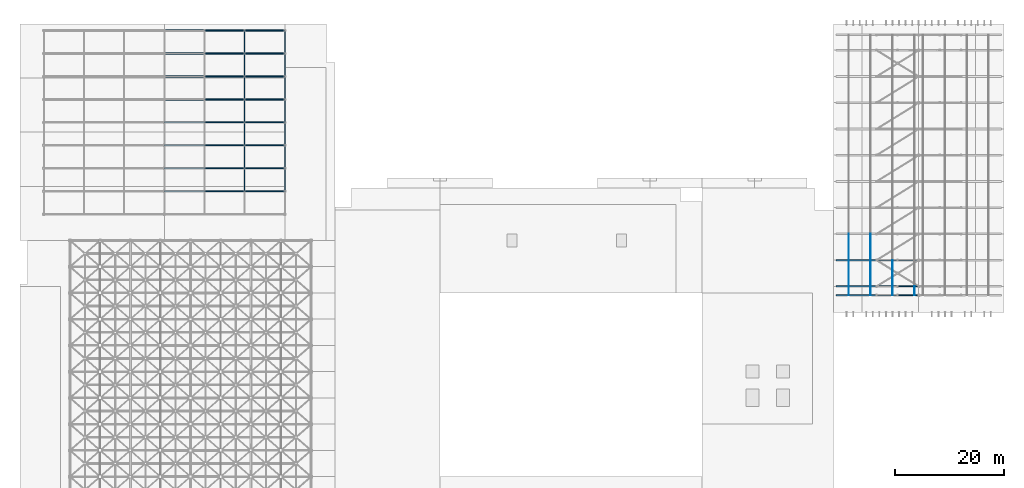
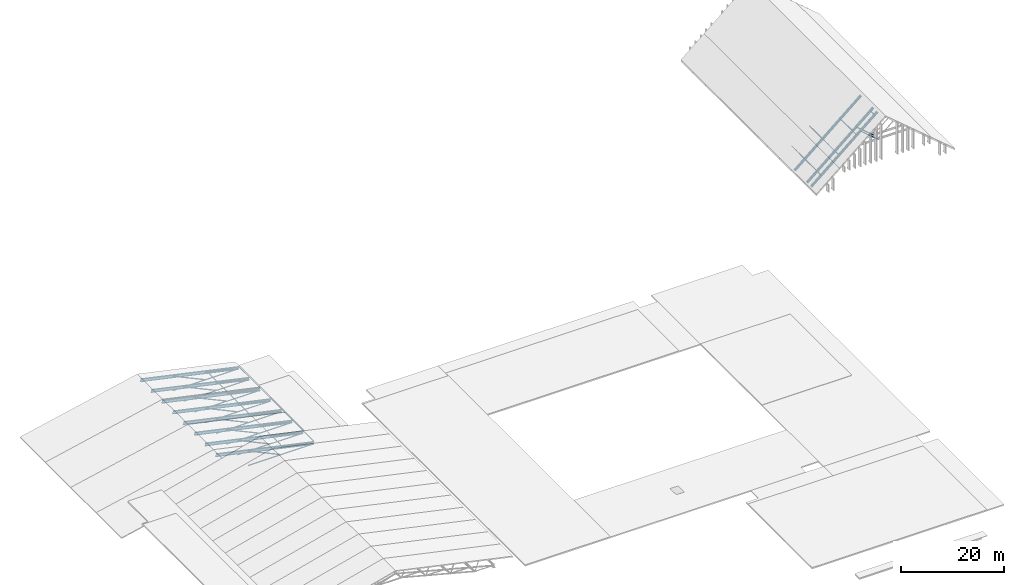
# One storey, part 22 of 60: 57 members, 11 beams.
"""IFC4 building model written with IfcOpenShell, lengths in metres."""

from ifc_helpers import new_model, si_unit, direction, frame, origin, origin_2d, place, context, subcontext, project, spatial, hollow_rectangle, hollow_circle, i_section, extrude, material, material_profile, profile_set, type_object, element, save


model = new_model("IFC4")

# Units and contexts
model_context = context("Model", 3, precision=1e-05, world=origin(), true_north=direction((0.0, 1.0)))
body_context = subcontext(model_context, "Body", "Model", "MODEL_VIEW")
ifc_project = project(units=[si_unit("LENGTHUNIT", "METRE"), si_unit("AREAUNIT", "SQUARE_METRE"), si_unit("VOLUMEUNIT", "CUBIC_METRE"), si_unit("PLANEANGLEUNIT", "RADIAN"), si_unit("MASSUNIT", "GRAM", prefix="KILO")], contexts=[model_context])

# Site, building, storey
site_placement = place(None, origin())
site = spatial("IfcSite", under=ifc_project, at=site_placement, CompositionType="ELEMENT")
building_placement = place(site_placement, origin())
building = spatial("IfcBuilding", under=site, at=building_placement, Name="Nakhvara Creek Congress Hotel", CompositionType="ELEMENT")
storey_placement = place(building_placement, frame((0.0, 0.0, 54.60009765625)))
storey = spatial("IfcBuildingStorey", under=building, at=storey_placement, Name="RL1", CompositionType="ELEMENT", Elevation=54.60009765625)

# Beams
ifc_material_1 = material(Name="Steel S355J2", Category="steel")
ifc_material_profile_1 = material_profile(ifc_material_1, i_section(OverallWidth=0.300048828125, OverallDepth=0.5, WebThickness=0.014404296875, FlangeThickness=0.028076171875, FilletRadius=0.027099609375, at=origin_2d()), Name="HEB 500", Category="LoadBearing")
ifc_profile_set_1 = profile_set([ifc_material_profile_1], Name="Steel S355J2")
beam_type_1 = type_object("IfcBeamType", Name="BM-ST-HEB500", PredefinedType="BEAM", material=ifc_profile_set_1)
for number, where, z_axis, x_axis, name in (
    (1, (149.449951171875, 76.39990234375, -4.5361328125), (0.763387703972, 0.0, 0.645940564932), (0.0, 1.0, 0.0), "Hotel Gothic Gable West Rafter 01"),
    (2, (149.449951171875, 78.0, -4.5361328125), (0.763387703972, 0.0, 0.645940564932), (0.0, 1.0, 0.0), "Hotel Gothic Gable West Rafter 02"),
    (3, (149.449951171875, 82.800048828125, -4.5361328125), (0.763387703972, 0.0, 0.645940564932), (0.0, 1.0, 0.0), "Hotel Gothic Gable West Rafter 03"),
):
    element("IfcBeam", number, at=place(storey_placement, frame(where, z_axis=z_axis, x_axis=x_axis)), inside=storey, type_object=beam_type_1, Name=name, PredefinedType="BEAM", context=body_context, shape_type="SweptSolid", body=[
        extrude(i_section(OverallWidth=0.300048828125, OverallDepth=0.5, WebThickness=0.014404296875, FlangeThickness=0.028076171875, FilletRadius=0.027099609375, at=origin_2d()), origin(), (0.0, 0.0, 1.0), 19.583740234375),
    ])
ifc_material_profile_2 = material_profile(ifc_material_1, i_section(OverallWidth=0.300048828125, OverallDepth=0.699951171875, WebThickness=0.01708984375, FlangeThickness=0.031982421875, FilletRadius=0.027099609375, at=origin_2d()), Name="HEB 700", Category="LoadBearing")
ifc_profile_set_2 = profile_set([ifc_material_profile_2], Name="Steel S355J2")
beam_type_2 = type_object("IfcBeamType", Name="BM-ST-HEB700", PredefinedType="BEAM", material=ifc_profile_set_2)
for number, where, z_axis, x_axis, name in (
    (4, (26.39990234375, 95.39990234375, -36.880126953125), (0.977115981717, 0.0, -0.212707212557), (0.0, 1.0, 0.0), "Ballroom Roof Truss East Rafter 02"),
    (5, (26.39990234375, 99.60009765625, -36.880126953125), (0.977115981717, 0.0, -0.212707212557), (0.0, 1.0, 0.0), "Ballroom Roof Truss East Rafter 03"),
    (6, (26.39990234375, 103.800048828125, -36.880126953125), (0.977115981717, 0.0, -0.212707212557), (0.0, 1.0, 0.0), "Ballroom Roof Truss East Rafter 04"),
    (7, (26.39990234375, 108.0, -36.880126953125), (0.977115981717, 0.0, -0.212707212557), (0.0, 1.0, 0.0), "Ballroom Roof Truss East Rafter 05"),
    (8, (26.39990234375, 112.199951171875, -36.880126953125), (0.977115981717, 0.0, -0.212707212557), (0.0, 1.0, 0.0), "Ballroom Roof Truss East Rafter 06"),
    (9, (26.39990234375, 116.39990234375, -36.880126953125), (0.977115981717, 0.0, -0.212707212557), (0.0, 1.0, 0.0), "Ballroom Roof Truss East Rafter 07"),
    (10, (26.39990234375, 120.60009765625, -36.880126953125), (0.977115981717, 0.0, -0.212707212557), (0.0, 1.0, 0.0), "Ballroom Roof Truss East Rafter 08"),
    (11, (26.39990234375, 124.800048828125, -36.880126953125), (0.977115981717, 0.0, -0.212707212557), (0.0, 1.0, 0.0), "Ballroom Roof Truss East Rafter 09"),
):
    element("IfcBeam", number, at=place(storey_placement, frame(where, z_axis=z_axis, x_axis=x_axis)), inside=storey, type_object=beam_type_2, Name=name, PredefinedType="BEAM", context=body_context, shape_type="SweptSolid", body=[
        extrude(i_section(OverallWidth=0.300048828125, OverallDepth=0.699951171875, WebThickness=0.01708984375, FlangeThickness=0.031982421875, FilletRadius=0.027099609375, at=origin_2d()), origin(), (0.0, 0.0, 1.0), 22.56640625),
    ])

# Members
ifc_material_2 = material(Name="Steel S355J2H", Category="steel")
ifc_material_profile_3 = material_profile(ifc_material_2, hollow_circle(Radius=0.06982421875, WallThickness=0.008056640625, at=origin_2d()), Name="CHS 139.7x8.0", Category="LoadBearing")
ifc_profile_set_3 = profile_set([ifc_material_profile_3], Name="Steel S355J2H")
member_type_1 = type_object("IfcMemberType", Name="MEM-BRC-CHS139H", PredefinedType="BRACE", material=ifc_profile_set_3)
member_1_placement = place(storey_placement, frame((164.39990234375, 78.0, 1.599853515625), z_axis=(-0.763373429147, 0.0, 0.645957434876), x_axis=(0.0, -1.0, 0.0)))
element("IfcMember", 12, at=member_1_placement, inside=storey, type_object=member_type_1, Name="Hotel Gable Web Brace W-02", PredefinedType="BRACE", context=body_context, shape_type="SweptSolid", body=[
    extrude(hollow_circle(Radius=0.06982421875, WallThickness=0.008056640625, at=origin_2d()), origin(), (0.0, 0.0, 1.0), 5.042236328125),
])
ifc_material_profile_4 = material_profile(ifc_material_2, hollow_circle(Radius=0.084228515625, WallThickness=0.008056640625, at=origin_2d()), Name="CHS 168.3x8.0", Category="LoadBearing")
ifc_profile_set_4 = profile_set([ifc_material_profile_4], Name="Steel S355J2H")
member_type_2 = type_object("IfcMemberType", Name="MEM-BRC-CHS168", PredefinedType="BRACE", material=ifc_profile_set_4)
member_2_placement = place(storey_placement, frame((41.10009765625, 95.39990234375, -41.89013671875), z_axis=(-0.907121554774, 0.0, 0.420868726403), x_axis=(0.0, -1.0, 0.0)))
element("IfcMember", 13, at=member_2_placement, inside=storey, type_object=member_type_2, Name="Ballroom Roof Truss Web Brace 02.5", PredefinedType="BRACE", context=body_context, shape_type="SweptSolid", body=[
    extrude(hollow_circle(Radius=0.084228515625, WallThickness=0.008056640625, at=origin_2d()), origin(), (0.0, 0.0, 1.0), 8.1025390625),
])
member_3_placement = place(storey_placement, frame((48.449951171875, 95.39990234375, -41.89013671875), z_axis=(-0.970988385027, 0.0, 0.239126652934), x_axis=(0.0, -1.0, 0.0)))
element("IfcMember", 14, at=member_3_placement, inside=storey, type_object=member_type_2, Name="Ballroom Roof Truss Web Brace 02.6", PredefinedType="BRACE", context=body_context, shape_type="SweptSolid", body=[
    extrude(hollow_circle(Radius=0.084228515625, WallThickness=0.008056640625, at=origin_2d()), origin(), (0.0, 0.0, 1.0), 7.5693359375),
])
member_4_placement = place(storey_placement, frame((41.10009765625, 99.60009765625, -41.89013671875), z_axis=(-0.907121554774, 0.0, 0.420868726403), x_axis=(0.0, -1.0, 0.0)))
element("IfcMember", 15, at=member_4_placement, inside=storey, type_object=member_type_2, Name="Ballroom Roof Truss Web Brace 03.5", PredefinedType="BRACE", context=body_context, shape_type="SweptSolid", body=[
    extrude(hollow_circle(Radius=0.084228515625, WallThickness=0.008056640625, at=origin_2d()), origin(), (0.0, 0.0, 1.0), 8.1025390625),
])
member_5_placement = place(storey_placement, frame((48.449951171875, 99.60009765625, -41.89013671875), z_axis=(-0.970988385027, 0.0, 0.239126652934), x_axis=(0.0, -1.0, 0.0)))
element("IfcMember", 16, at=member_5_placement, inside=storey, type_object=member_type_2, Name="Ballroom Roof Truss Web Brace 03.6", PredefinedType="BRACE", context=body_context, shape_type="SweptSolid", body=[
    extrude(hollow_circle(Radius=0.084228515625, WallThickness=0.008056640625, at=origin_2d()), origin(), (0.0, 0.0, 1.0), 7.5693359375),
])
member_6_placement = place(storey_placement, frame((41.10009765625, 103.800048828125, -41.89013671875), z_axis=(-0.907121554774, 0.0, 0.420868726403), x_axis=(0.0, -1.0, 0.0)))
element("IfcMember", 17, at=member_6_placement, inside=storey, type_object=member_type_2, Name="Ballroom Roof Truss Web Brace 04.5", PredefinedType="BRACE", context=body_context, shape_type="SweptSolid", body=[
    extrude(hollow_circle(Radius=0.084228515625, WallThickness=0.008056640625, at=origin_2d()), origin(), (0.0, 0.0, 1.0), 8.1025390625),
])
member_7_placement = place(storey_placement, frame((48.449951171875, 103.800048828125, -41.89013671875), z_axis=(-0.970988385027, 0.0, 0.239126652934), x_axis=(0.0, -1.0, 0.0)))
element("IfcMember", 18, at=member_7_placement, inside=storey, type_object=member_type_2, Name="Ballroom Roof Truss Web Brace 04.6", PredefinedType="BRACE", context=body_context, shape_type="SweptSolid", body=[
    extrude(hollow_circle(Radius=0.084228515625, WallThickness=0.008056640625, at=origin_2d()), origin(), (0.0, 0.0, 1.0), 7.5693359375),
])
member_8_placement = place(storey_placement, frame((41.10009765625, 108.0, -41.89013671875), z_axis=(-0.907121554774, 0.0, 0.420868726403), x_axis=(0.0, -1.0, 0.0)))
element("IfcMember", 19, at=member_8_placement, inside=storey, type_object=member_type_2, Name="Ballroom Roof Truss Web Brace 05.5", PredefinedType="BRACE", context=body_context, shape_type="SweptSolid", body=[
    extrude(hollow_circle(Radius=0.084228515625, WallThickness=0.008056640625, at=origin_2d()), origin(), (0.0, 0.0, 1.0), 8.1025390625),
])
member_9_placement = place(storey_placement, frame((48.449951171875, 108.0, -41.89013671875), z_axis=(-0.970988385027, 0.0, 0.239126652934), x_axis=(0.0, -1.0, 0.0)))
element("IfcMember", 20, at=member_9_placement, inside=storey, type_object=member_type_2, Name="Ballroom Roof Truss Web Brace 05.6", PredefinedType="BRACE", context=body_context, shape_type="SweptSolid", body=[
    extrude(hollow_circle(Radius=0.084228515625, WallThickness=0.008056640625, at=origin_2d()), origin(), (0.0, 0.0, 1.0), 7.5693359375),
])
member_10_placement = place(storey_placement, frame((41.10009765625, 112.199951171875, -41.89013671875), z_axis=(-0.907121554774, 0.0, 0.420868726403), x_axis=(0.0, -1.0, 0.0)))
element("IfcMember", 21, at=member_10_placement, inside=storey, type_object=member_type_2, Name="Ballroom Roof Truss Web Brace 06.5", PredefinedType="BRACE", context=body_context, shape_type="SweptSolid", body=[
    extrude(hollow_circle(Radius=0.084228515625, WallThickness=0.008056640625, at=origin_2d()), origin(), (0.0, 0.0, 1.0), 8.1025390625),
])
member_11_placement = place(storey_placement, frame((48.449951171875, 112.199951171875, -41.89013671875), z_axis=(-0.970988385027, 0.0, 0.239126652934), x_axis=(0.0, -1.0, 0.0)))
element("IfcMember", 22, at=member_11_placement, inside=storey, type_object=member_type_2, Name="Ballroom Roof Truss Web Brace 06.6", PredefinedType="BRACE", context=body_context, shape_type="SweptSolid", body=[
    extrude(hollow_circle(Radius=0.084228515625, WallThickness=0.008056640625, at=origin_2d()), origin(), (0.0, 0.0, 1.0), 7.5693359375),
])
member_12_placement = place(storey_placement, frame((41.10009765625, 116.39990234375, -41.89013671875), z_axis=(-0.907121554774, 0.0, 0.420868726403), x_axis=(0.0, -1.0, 0.0)))
element("IfcMember", 23, at=member_12_placement, inside=storey, type_object=member_type_2, Name="Ballroom Roof Truss Web Brace 07.5", PredefinedType="BRACE", context=body_context, shape_type="SweptSolid", body=[
    extrude(hollow_circle(Radius=0.084228515625, WallThickness=0.008056640625, at=origin_2d()), origin(), (0.0, 0.0, 1.0), 8.1025390625),
])
member_13_placement = place(storey_placement, frame((48.449951171875, 116.39990234375, -41.89013671875), z_axis=(-0.970988385027, 0.0, 0.239126652934), x_axis=(0.0, -1.0, 0.0)))
element("IfcMember", 24, at=member_13_placement, inside=storey, type_object=member_type_2, Name="Ballroom Roof Truss Web Brace 07.6", PredefinedType="BRACE", context=body_context, shape_type="SweptSolid", body=[
    extrude(hollow_circle(Radius=0.084228515625, WallThickness=0.008056640625, at=origin_2d()), origin(), (0.0, 0.0, 1.0), 7.5693359375),
])
member_14_placement = place(storey_placement, frame((41.10009765625, 120.60009765625, -41.89013671875), z_axis=(-0.907121554774, 0.0, 0.420868726403), x_axis=(0.0, -1.0, 0.0)))
element("IfcMember", 25, at=member_14_placement, inside=storey, type_object=member_type_2, Name="Ballroom Roof Truss Web Brace 08.5", PredefinedType="BRACE", context=body_context, shape_type="SweptSolid", body=[
    extrude(hollow_circle(Radius=0.084228515625, WallThickness=0.008056640625, at=origin_2d()), origin(), (0.0, 0.0, 1.0), 8.1025390625),
])
member_15_placement = place(storey_placement, frame((48.449951171875, 120.60009765625, -41.89013671875), z_axis=(-0.970988385027, 0.0, 0.239126652934), x_axis=(0.0, -1.0, 0.0)))
element("IfcMember", 26, at=member_15_placement, inside=storey, type_object=member_type_2, Name="Ballroom Roof Truss Web Brace 08.6", PredefinedType="BRACE", context=body_context, shape_type="SweptSolid", body=[
    extrude(hollow_circle(Radius=0.084228515625, WallThickness=0.008056640625, at=origin_2d()), origin(), (0.0, 0.0, 1.0), 7.5693359375),
])
member_16_placement = place(storey_placement, frame((41.10009765625, 124.800048828125, -41.89013671875), z_axis=(-0.907121554774, 0.0, 0.420868726403), x_axis=(0.0, -1.0, 0.0)))
element("IfcMember", 27, at=member_16_placement, inside=storey, type_object=member_type_2, Name="Ballroom Roof Truss Web Brace 09.5", PredefinedType="BRACE", context=body_context, shape_type="SweptSolid", body=[
    extrude(hollow_circle(Radius=0.084228515625, WallThickness=0.008056640625, at=origin_2d()), origin(), (0.0, 0.0, 1.0), 8.1025390625),
])
member_17_placement = place(storey_placement, frame((48.449951171875, 124.800048828125, -41.89013671875), z_axis=(-0.970988385027, 0.0, 0.239126652934), x_axis=(0.0, -1.0, 0.0)))
element("IfcMember", 28, at=member_17_placement, inside=storey, type_object=member_type_2, Name="Ballroom Roof Truss Web Brace 09.6", PredefinedType="BRACE", context=body_context, shape_type="SweptSolid", body=[
    extrude(hollow_circle(Radius=0.084228515625, WallThickness=0.008056640625, at=origin_2d()), origin(), (0.0, 0.0, 1.0), 7.5693359375),
])
ifc_material_profile_5 = material_profile(ifc_material_2, hollow_rectangle(XDim=0.1201171875, YDim=0.1201171875, WallThickness=0.008056640625, InnerFilletRadius=0.008056640625, OuterFilletRadius=0.01611328125, at=origin_2d()), Name="SHS 120x120x8.0", Category="LoadBearing")
ifc_profile_set_5 = profile_set([ifc_material_profile_5], Name="Steel S355J2H")
member_type_3 = type_object("IfcMemberType", Name="MEM-BRC-SHS120", PredefinedType="BRACE", material=ifc_profile_set_5)
member_18_placement = place(storey_placement, frame((164.39990234375, 76.39990234375, 1.599853515625), z_axis=(-0.763373429147, 0.0, 0.645957434876), x_axis=(0.0, -1.0, 0.0)))
element("IfcMember", 29, at=member_18_placement, inside=storey, type_object=member_type_3, Name="Hotel Gable Web Brace W-01", PredefinedType="BRACE", context=body_context, shape_type="SweptSolid", body=[
    extrude(hollow_rectangle(XDim=0.1201171875, YDim=0.1201171875, WallThickness=0.008056640625, InnerFilletRadius=0.008056640625, OuterFilletRadius=0.01611328125, at=origin_2d()), origin(), (0.0, 0.0, 1.0), 5.042236328125),
])
ifc_material_profile_6 = material_profile(ifc_material_2, hollow_circle(Radius=0.122314453125, WallThickness=0.012451171875, at=origin_2d()), Name="CHS 244.5x12.5", Category="LoadBearing")
ifc_profile_set_6 = profile_set([ifc_material_profile_6], Name="Steel S355J2H")
member_type_4 = type_object("IfcMemberType", Name="MEM-CHD-CHS244", PredefinedType="CHORD", material=ifc_profile_set_6)
member_19_placement = place(storey_placement, frame((33.75, 95.39990234375, -41.89013671875), z_axis=(1.0, 0.0, 0.0), x_axis=(0.0, 1.0, 0.0)))
element("IfcMember", 30, at=member_19_placement, inside=storey, type_object=member_type_4, Name="Ballroom Roof Truss Bottom Chord 02.5", PredefinedType="CHORD", context=body_context, shape_type="SweptSolid", body=[
    extrude(hollow_circle(Radius=0.122314453125, WallThickness=0.012451171875, at=origin_2d()), origin(), (0.0, 0.0, 1.0), 7.35009765625),
])
member_20_placement = place(storey_placement, frame((41.10009765625, 95.39990234375, -41.89013671875), z_axis=(1.0, 0.0, 0.0), x_axis=(0.0, 1.0, 0.0)))
element("IfcMember", 31, at=member_20_placement, inside=storey, type_object=member_type_4, Name="Ballroom Roof Truss Bottom Chord 02.6", PredefinedType="CHORD", context=body_context, shape_type="SweptSolid", body=[
    extrude(hollow_circle(Radius=0.122314453125, WallThickness=0.012451171875, at=origin_2d()), origin(), (0.0, 0.0, 1.0), 7.349853515625),
])
member_21_placement = place(storey_placement, frame((33.75, 99.60009765625, -41.89013671875), z_axis=(1.0, 0.0, 0.0), x_axis=(0.0, 1.0, 0.0)))
element("IfcMember", 32, at=member_21_placement, inside=storey, type_object=member_type_4, Name="Ballroom Roof Truss Bottom Chord 03.5", PredefinedType="CHORD", context=body_context, shape_type="SweptSolid", body=[
    extrude(hollow_circle(Radius=0.122314453125, WallThickness=0.012451171875, at=origin_2d()), origin(), (0.0, 0.0, 1.0), 7.35009765625),
])
member_22_placement = place(storey_placement, frame((41.10009765625, 99.60009765625, -41.89013671875), z_axis=(1.0, 0.0, 0.0), x_axis=(0.0, 1.0, 0.0)))
element("IfcMember", 33, at=member_22_placement, inside=storey, type_object=member_type_4, Name="Ballroom Roof Truss Bottom Chord 03.6", PredefinedType="CHORD", context=body_context, shape_type="SweptSolid", body=[
    extrude(hollow_circle(Radius=0.122314453125, WallThickness=0.012451171875, at=origin_2d()), origin(), (0.0, 0.0, 1.0), 7.349853515625),
])
member_23_placement = place(storey_placement, frame((33.75, 103.800048828125, -41.89013671875), z_axis=(1.0, 0.0, 0.0), x_axis=(0.0, 1.0, 0.0)))
element("IfcMember", 34, at=member_23_placement, inside=storey, type_object=member_type_4, Name="Ballroom Roof Truss Bottom Chord 04.5", PredefinedType="CHORD", context=body_context, shape_type="SweptSolid", body=[
    extrude(hollow_circle(Radius=0.122314453125, WallThickness=0.012451171875, at=origin_2d()), origin(), (0.0, 0.0, 1.0), 7.35009765625),
])
member_24_placement = place(storey_placement, frame((41.10009765625, 103.800048828125, -41.89013671875), z_axis=(1.0, 0.0, 0.0), x_axis=(0.0, 1.0, 0.0)))
element("IfcMember", 35, at=member_24_placement, inside=storey, type_object=member_type_4, Name="Ballroom Roof Truss Bottom Chord 04.6", PredefinedType="CHORD", context=body_context, shape_type="SweptSolid", body=[
    extrude(hollow_circle(Radius=0.122314453125, WallThickness=0.012451171875, at=origin_2d()), origin(), (0.0, 0.0, 1.0), 7.349853515625),
])
member_25_placement = place(storey_placement, frame((33.75, 108.0, -41.89013671875), z_axis=(1.0, 0.0, 0.0), x_axis=(0.0, 1.0, 0.0)))
element("IfcMember", 36, at=member_25_placement, inside=storey, type_object=member_type_4, Name="Ballroom Roof Truss Bottom Chord 05.5", PredefinedType="CHORD", context=body_context, shape_type="SweptSolid", body=[
    extrude(hollow_circle(Radius=0.122314453125, WallThickness=0.012451171875, at=origin_2d()), origin(), (0.0, 0.0, 1.0), 7.35009765625),
])
member_26_placement = place(storey_placement, frame((41.10009765625, 108.0, -41.89013671875), z_axis=(1.0, 0.0, 0.0), x_axis=(0.0, 1.0, 0.0)))
element("IfcMember", 37, at=member_26_placement, inside=storey, type_object=member_type_4, Name="Ballroom Roof Truss Bottom Chord 05.6", PredefinedType="CHORD", context=body_context, shape_type="SweptSolid", body=[
    extrude(hollow_circle(Radius=0.122314453125, WallThickness=0.012451171875, at=origin_2d()), origin(), (0.0, 0.0, 1.0), 7.349853515625),
])
member_27_placement = place(storey_placement, frame((33.75, 112.199951171875, -41.89013671875), z_axis=(1.0, 0.0, 0.0), x_axis=(0.0, 1.0, 0.0)))
element("IfcMember", 38, at=member_27_placement, inside=storey, type_object=member_type_4, Name="Ballroom Roof Truss Bottom Chord 06.5", PredefinedType="CHORD", context=body_context, shape_type="SweptSolid", body=[
    extrude(hollow_circle(Radius=0.122314453125, WallThickness=0.012451171875, at=origin_2d()), origin(), (0.0, 0.0, 1.0), 7.35009765625),
])
member_28_placement = place(storey_placement, frame((41.10009765625, 112.199951171875, -41.89013671875), z_axis=(1.0, 0.0, 0.0), x_axis=(0.0, 1.0, 0.0)))
element("IfcMember", 39, at=member_28_placement, inside=storey, type_object=member_type_4, Name="Ballroom Roof Truss Bottom Chord 06.6", PredefinedType="CHORD", context=body_context, shape_type="SweptSolid", body=[
    extrude(hollow_circle(Radius=0.122314453125, WallThickness=0.012451171875, at=origin_2d()), origin(), (0.0, 0.0, 1.0), 7.349853515625),
])
member_29_placement = place(storey_placement, frame((33.75, 116.39990234375, -41.89013671875), z_axis=(1.0, 0.0, 0.0), x_axis=(0.0, 1.0, 0.0)))
element("IfcMember", 40, at=member_29_placement, inside=storey, type_object=member_type_4, Name="Ballroom Roof Truss Bottom Chord 07.5", PredefinedType="CHORD", context=body_context, shape_type="SweptSolid", body=[
    extrude(hollow_circle(Radius=0.122314453125, WallThickness=0.012451171875, at=origin_2d()), origin(), (0.0, 0.0, 1.0), 7.35009765625),
])
member_30_placement = place(storey_placement, frame((41.10009765625, 116.39990234375, -41.89013671875), z_axis=(1.0, 0.0, 0.0), x_axis=(0.0, 1.0, 0.0)))
element("IfcMember", 41, at=member_30_placement, inside=storey, type_object=member_type_4, Name="Ballroom Roof Truss Bottom Chord 07.6", PredefinedType="CHORD", context=body_context, shape_type="SweptSolid", body=[
    extrude(hollow_circle(Radius=0.122314453125, WallThickness=0.012451171875, at=origin_2d()), origin(), (0.0, 0.0, 1.0), 7.349853515625),
])
member_31_placement = place(storey_placement, frame((33.75, 120.60009765625, -41.89013671875), z_axis=(1.0, 0.0, 0.0), x_axis=(0.0, 1.0, 0.0)))
element("IfcMember", 42, at=member_31_placement, inside=storey, type_object=member_type_4, Name="Ballroom Roof Truss Bottom Chord 08.5", PredefinedType="CHORD", context=body_context, shape_type="SweptSolid", body=[
    extrude(hollow_circle(Radius=0.122314453125, WallThickness=0.012451171875, at=origin_2d()), origin(), (0.0, 0.0, 1.0), 7.35009765625),
])
member_32_placement = place(storey_placement, frame((41.10009765625, 120.60009765625, -41.89013671875), z_axis=(1.0, 0.0, 0.0), x_axis=(0.0, 1.0, 0.0)))
element("IfcMember", 43, at=member_32_placement, inside=storey, type_object=member_type_4, Name="Ballroom Roof Truss Bottom Chord 08.6", PredefinedType="CHORD", context=body_context, shape_type="SweptSolid", body=[
    extrude(hollow_circle(Radius=0.122314453125, WallThickness=0.012451171875, at=origin_2d()), origin(), (0.0, 0.0, 1.0), 7.349853515625),
])
member_33_placement = place(storey_placement, frame((33.75, 124.800048828125, -41.89013671875), z_axis=(1.0, 0.0, 0.0), x_axis=(0.0, 1.0, 0.0)))
element("IfcMember", 44, at=member_33_placement, inside=storey, type_object=member_type_4, Name="Ballroom Roof Truss Bottom Chord 09.5", PredefinedType="CHORD", context=body_context, shape_type="SweptSolid", body=[
    extrude(hollow_circle(Radius=0.122314453125, WallThickness=0.012451171875, at=origin_2d()), origin(), (0.0, 0.0, 1.0), 7.35009765625),
])
member_34_placement = place(storey_placement, frame((41.10009765625, 124.800048828125, -41.89013671875), z_axis=(1.0, 0.0, 0.0), x_axis=(0.0, 1.0, 0.0)))
element("IfcMember", 45, at=member_34_placement, inside=storey, type_object=member_type_4, Name="Ballroom Roof Truss Bottom Chord 09.6", PredefinedType="CHORD", context=body_context, shape_type="SweptSolid", body=[
    extrude(hollow_circle(Radius=0.122314453125, WallThickness=0.012451171875, at=origin_2d()), origin(), (0.0, 0.0, 1.0), 7.349853515625),
])
ifc_material_profile_7 = material_profile(ifc_material_2, hollow_rectangle(XDim=0.080078125, YDim=0.159912109375, WallThickness=0.00634765625, InnerFilletRadius=0.00634765625, OuterFilletRadius=0.0126953125, at=origin_2d()), Name="RHS 160x80x6.3", Category="LoadBearing")
ifc_profile_set_7 = profile_set([ifc_material_profile_7], Name="Steel S355J2H")
member_type_5 = type_object("IfcMemberType", Name="MEM-PUR-RHS160", PredefinedType="PURLIN", material=ifc_profile_set_7)
member_35_placement = place(storey_placement, frame((151.60009765625, 76.39990234375, -2.39697265625), z_axis=(0.0, 1.0, 0.0), x_axis=(-1.0, 0.0, 0.0)))
element("IfcMember", 46, at=member_35_placement, inside=storey, type_object=member_type_5, Name="Hotel Gable Purlin PR03-1.01", PredefinedType="PURLIN", context=body_context, shape_type="SweptSolid", body=[
    extrude(hollow_rectangle(XDim=0.080078125, YDim=0.159912109375, WallThickness=0.00634765625, InnerFilletRadius=0.00634765625, OuterFilletRadius=0.0126953125, at=origin_2d()), origin(), (0.0, 0.0, 1.0), 1.60009765625),
])
for number, where, z_axis, x_axis, name in (
    (47, (151.60009765625, 78.0, -2.39697265625), (0.0, 1.0, 0.0), (-1.0, 0.0, 0.0), "Hotel Gable Purlin PR03-1.02"),
    (48, (151.60009765625, 82.800048828125, -2.39697265625), (0.0, 1.0, 0.0), (-1.0, 0.0, 0.0), "Hotel Gable Purlin PR03-1.03"),
):
    element("IfcMember", number, at=place(storey_placement, frame(where, z_axis=z_axis, x_axis=x_axis)), inside=storey, type_object=member_type_5, Name=name, PredefinedType="PURLIN", context=body_context, shape_type="SweptSolid", body=[
        extrude(hollow_rectangle(XDim=0.080078125, YDim=0.159912109375, WallThickness=0.00634765625, InnerFilletRadius=0.00634765625, OuterFilletRadius=0.0126953125, at=origin_2d()), origin(), (0.0, 0.0, 1.0), 4.800048828125),
    ])
member_36_placement = place(storey_placement, frame((155.60009765625, 76.39990234375, 0.98779296875), z_axis=(0.0, 1.0, 0.0), x_axis=(-1.0, 0.0, 0.0)))
element("IfcMember", 49, at=member_36_placement, inside=storey, type_object=member_type_5, Name="Hotel Gable Purlin PR03-2.01", PredefinedType="PURLIN", context=body_context, shape_type="SweptSolid", body=[
    extrude(hollow_rectangle(XDim=0.080078125, YDim=0.159912109375, WallThickness=0.00634765625, InnerFilletRadius=0.00634765625, OuterFilletRadius=0.0126953125, at=origin_2d()), origin(), (0.0, 0.0, 1.0), 1.60009765625),
])
for number, where, z_axis, x_axis, name in (
    (50, (155.60009765625, 78.0, 0.98779296875), (0.0, 1.0, 0.0), (-1.0, 0.0, 0.0), "Hotel Gable Purlin PR03-2.02"),
    (51, (155.60009765625, 82.800048828125, 0.98779296875), (0.0, 1.0, 0.0), (-1.0, 0.0, 0.0), "Hotel Gable Purlin PR03-2.03"),
):
    element("IfcMember", number, at=place(storey_placement, frame(where, z_axis=z_axis, x_axis=x_axis)), inside=storey, type_object=member_type_5, Name=name, PredefinedType="PURLIN", context=body_context, shape_type="SweptSolid", body=[
        extrude(hollow_rectangle(XDim=0.080078125, YDim=0.159912109375, WallThickness=0.00634765625, InnerFilletRadius=0.00634765625, OuterFilletRadius=0.0126953125, at=origin_2d()), origin(), (0.0, 0.0, 1.0), 4.800048828125),
    ])
member_37_placement = place(storey_placement, frame((159.60009765625, 76.39990234375, 4.372314453125), z_axis=(0.0, 1.0, 0.0), x_axis=(-1.0, 0.0, 0.0)))
element("IfcMember", 52, at=member_37_placement, inside=storey, type_object=member_type_5, Name="Hotel Gable Purlin PR03-3.01", PredefinedType="PURLIN", context=body_context, shape_type="SweptSolid", body=[
    extrude(hollow_rectangle(XDim=0.080078125, YDim=0.159912109375, WallThickness=0.00634765625, InnerFilletRadius=0.00634765625, OuterFilletRadius=0.0126953125, at=origin_2d()), origin(), (0.0, 0.0, 1.0), 1.60009765625),
])
member_38_placement = place(storey_placement, frame((159.60009765625, 78.0, 4.372314453125), z_axis=(0.0, 1.0, 0.0), x_axis=(-1.0, 0.0, 0.0)))
element("IfcMember", 53, at=member_38_placement, inside=storey, type_object=member_type_5, Name="Hotel Gable Purlin PR03-3.02", PredefinedType="PURLIN", context=body_context, shape_type="SweptSolid", body=[
    extrude(hollow_rectangle(XDim=0.080078125, YDim=0.159912109375, WallThickness=0.00634765625, InnerFilletRadius=0.00634765625, OuterFilletRadius=0.0126953125, at=origin_2d()), origin(), (0.0, 0.0, 1.0), 4.800048828125),
])
member_39_placement = place(storey_placement, frame((163.60009765625, 76.39990234375, 7.7568359375), z_axis=(0.0, 1.0, 0.0), x_axis=(-1.0, 0.0, 0.0)))
element("IfcMember", 54, at=member_39_placement, inside=storey, type_object=member_type_5, Name="Hotel Gable Purlin PR03-4.01", PredefinedType="PURLIN", context=body_context, shape_type="SweptSolid", body=[
    extrude(hollow_rectangle(XDim=0.080078125, YDim=0.159912109375, WallThickness=0.00634765625, InnerFilletRadius=0.00634765625, OuterFilletRadius=0.0126953125, at=origin_2d()), origin(), (0.0, 0.0, 1.0), 1.60009765625),
])
ifc_material_profile_8 = material_profile(ifc_material_2, hollow_rectangle(XDim=0.10009765625, YDim=0.199951171875, WallThickness=0.008056640625, InnerFilletRadius=0.008056640625, OuterFilletRadius=0.01611328125, at=origin_2d()), Name="RHS 200x100x8.0", Category="LoadBearing")
ifc_profile_set_8 = profile_set([ifc_material_profile_8], Name="Steel S355J2H")
member_type_6 = type_object("IfcMemberType", Name="MEM-PUR-RHS200", PredefinedType="PURLIN", material=ifc_profile_set_8)
member_40_placement = place(storey_placement, frame((41.10009765625, 95.39990234375, -39.6337890625), z_axis=(0.0, 1.0, 0.0), x_axis=(-1.0, 0.0, 0.0)))
element("IfcMember", 55, at=member_40_placement, inside=storey, type_object=member_type_6, Name="Ballroom Roof Purlin 6.2", PredefinedType="PURLIN", context=body_context, shape_type="SweptSolid", body=[
    extrude(hollow_rectangle(XDim=0.10009765625, YDim=0.199951171875, WallThickness=0.008056640625, InnerFilletRadius=0.008056640625, OuterFilletRadius=0.01611328125, at=origin_2d()), origin(), (0.0, 0.0, 1.0), 4.2001953125),
])
for number, where, z_axis, x_axis, name in (
    (56, (41.10009765625, 99.60009765625, -39.6337890625), (0.0, 1.0, 0.0), (-1.0, 0.0, 0.0), "Ballroom Roof Purlin 6.3"),
    (57, (41.10009765625, 103.800048828125, -39.6337890625), (0.0, 1.0, 0.0), (-1.0, 0.0, 0.0), "Ballroom Roof Purlin 6.4"),
    (58, (41.10009765625, 108.0, -39.6337890625), (0.0, 1.0, 0.0), (-1.0, 0.0, 0.0), "Ballroom Roof Purlin 6.5"),
    (59, (41.10009765625, 112.199951171875, -39.6337890625), (0.0, 1.0, 0.0), (-1.0, 0.0, 0.0), "Ballroom Roof Purlin 6.6"),
):
    element("IfcMember", number, at=place(storey_placement, frame(where, z_axis=z_axis, x_axis=x_axis)), inside=storey, type_object=member_type_6, Name=name, PredefinedType="PURLIN", context=body_context, shape_type="SweptSolid", body=[
        extrude(hollow_rectangle(XDim=0.10009765625, YDim=0.199951171875, WallThickness=0.008056640625, InnerFilletRadius=0.008056640625, OuterFilletRadius=0.01611328125, at=origin_2d()), origin(), (0.0, 0.0, 1.0), 4.199951171875),
    ])
member_41_placement = place(storey_placement, frame((41.10009765625, 116.39990234375, -39.6337890625), z_axis=(0.0, 1.0, 0.0), x_axis=(-1.0, 0.0, 0.0)))
element("IfcMember", 60, at=member_41_placement, inside=storey, type_object=member_type_6, Name="Ballroom Roof Purlin 6.7", PredefinedType="PURLIN", context=body_context, shape_type="SweptSolid", body=[
    extrude(hollow_rectangle(XDim=0.10009765625, YDim=0.199951171875, WallThickness=0.008056640625, InnerFilletRadius=0.008056640625, OuterFilletRadius=0.01611328125, at=origin_2d()), origin(), (0.0, 0.0, 1.0), 4.2001953125),
])
member_42_placement = place(storey_placement, frame((41.10009765625, 120.60009765625, -39.6337890625), z_axis=(0.0, 1.0, 0.0), x_axis=(-1.0, 0.0, 0.0)))
element("IfcMember", 61, at=member_42_placement, inside=storey, type_object=member_type_6, Name="Ballroom Roof Purlin 6.8", PredefinedType="PURLIN", context=body_context, shape_type="SweptSolid", body=[
    extrude(hollow_rectangle(XDim=0.10009765625, YDim=0.199951171875, WallThickness=0.008056640625, InnerFilletRadius=0.008056640625, OuterFilletRadius=0.01611328125, at=origin_2d()), origin(), (0.0, 0.0, 1.0), 4.199951171875),
])
member_43_placement = place(storey_placement, frame((48.449951171875, 95.39990234375, -41.23388671875), z_axis=(0.0, 1.0, 0.0), x_axis=(-1.0, 0.0, 0.0)))
element("IfcMember", 62, at=member_43_placement, inside=storey, type_object=member_type_6, Name="Ballroom Roof Purlin 7.2", PredefinedType="PURLIN", context=body_context, shape_type="SweptSolid", body=[
    extrude(hollow_rectangle(XDim=0.10009765625, YDim=0.199951171875, WallThickness=0.008056640625, InnerFilletRadius=0.008056640625, OuterFilletRadius=0.01611328125, at=origin_2d()), origin(), (0.0, 0.0, 1.0), 4.2001953125),
])
for number, where, z_axis, x_axis, name in (
    (63, (48.449951171875, 99.60009765625, -41.23388671875), (0.0, 1.0, 0.0), (-1.0, 0.0, 0.0), "Ballroom Roof Purlin 7.3"),
    (64, (48.449951171875, 103.800048828125, -41.23388671875), (0.0, 1.0, 0.0), (-1.0, 0.0, 0.0), "Ballroom Roof Purlin 7.4"),
    (65, (48.449951171875, 108.0, -41.23388671875), (0.0, 1.0, 0.0), (-1.0, 0.0, 0.0), "Ballroom Roof Purlin 7.5"),
    (66, (48.449951171875, 112.199951171875, -41.23388671875), (0.0, 1.0, 0.0), (-1.0, 0.0, 0.0), "Ballroom Roof Purlin 7.6"),
):
    element("IfcMember", number, at=place(storey_placement, frame(where, z_axis=z_axis, x_axis=x_axis)), inside=storey, type_object=member_type_6, Name=name, PredefinedType="PURLIN", context=body_context, shape_type="SweptSolid", body=[
        extrude(hollow_rectangle(XDim=0.10009765625, YDim=0.199951171875, WallThickness=0.008056640625, InnerFilletRadius=0.008056640625, OuterFilletRadius=0.01611328125, at=origin_2d()), origin(), (0.0, 0.0, 1.0), 4.199951171875),
    ])
member_44_placement = place(storey_placement, frame((48.449951171875, 116.39990234375, -41.23388671875), z_axis=(0.0, 1.0, 0.0), x_axis=(-1.0, 0.0, 0.0)))
element("IfcMember", 67, at=member_44_placement, inside=storey, type_object=member_type_6, Name="Ballroom Roof Purlin 7.7", PredefinedType="PURLIN", context=body_context, shape_type="SweptSolid", body=[
    extrude(hollow_rectangle(XDim=0.10009765625, YDim=0.199951171875, WallThickness=0.008056640625, InnerFilletRadius=0.008056640625, OuterFilletRadius=0.01611328125, at=origin_2d()), origin(), (0.0, 0.0, 1.0), 4.2001953125),
])
member_45_placement = place(storey_placement, frame((48.449951171875, 120.60009765625, -41.23388671875), z_axis=(0.0, 1.0, 0.0), x_axis=(-1.0, 0.0, 0.0)))
element("IfcMember", 68, at=member_45_placement, inside=storey, type_object=member_type_6, Name="Ballroom Roof Purlin 7.8", PredefinedType="PURLIN", context=body_context, shape_type="SweptSolid", body=[
    extrude(hollow_rectangle(XDim=0.10009765625, YDim=0.199951171875, WallThickness=0.008056640625, InnerFilletRadius=0.008056640625, OuterFilletRadius=0.01611328125, at=origin_2d()), origin(), (0.0, 0.0, 1.0), 4.199951171875),
])

save(model, "model.ifc")
